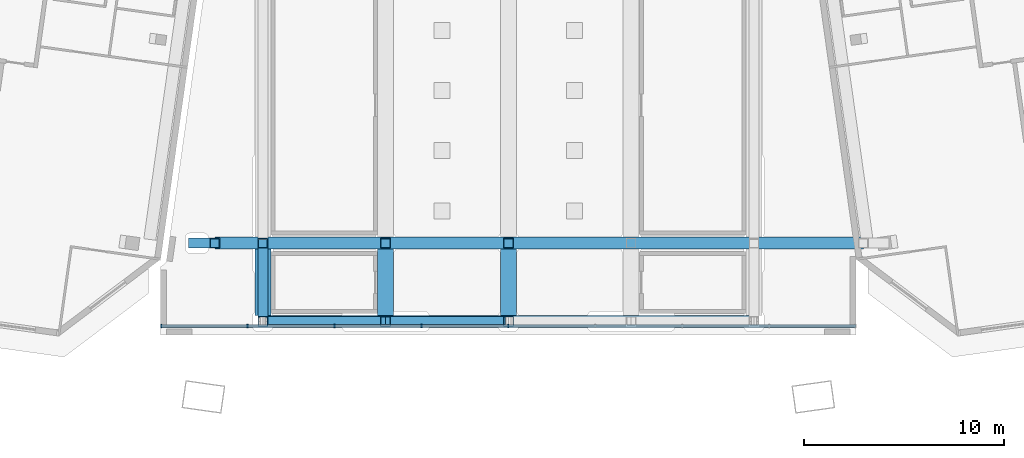
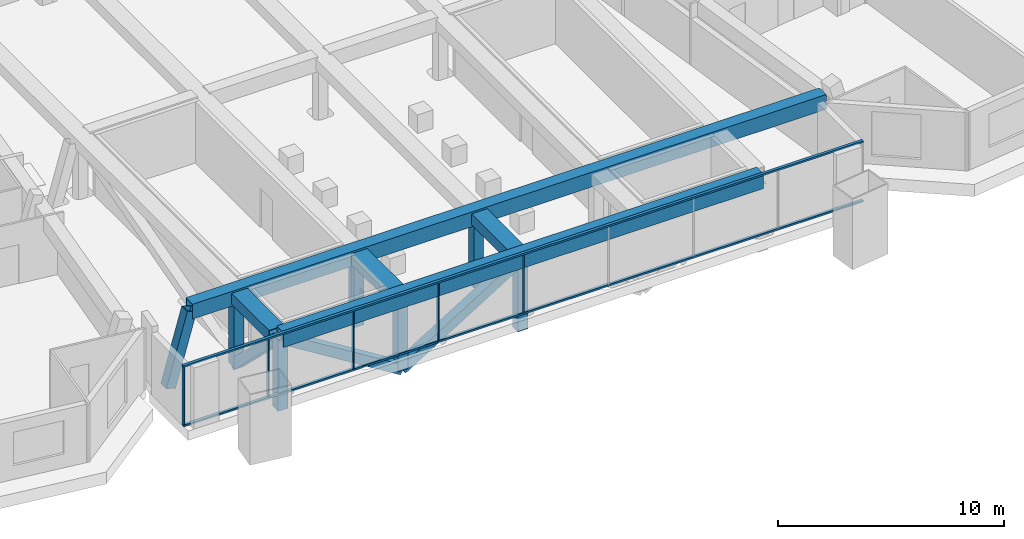
# One storey, part 3 of 28: 22 members, 1 element without a shape of its own.
"""IFC4 building model written with IfcOpenShell, lengths in metres."""

from ifc_helpers import new_model, si_unit, direction, frame, origin, origin_2d, place, context, subcontext, project, spatial, rectangle, hollow_rectangle, extrude, material, material_profile, profile_set, type_object, element, aggregate, save


model = new_model("IFC4")

# Units and contexts
model_context = context("Model", 3, precision=1e-05, world=origin(), true_north=direction((0.0, 1.0)))
body_context = subcontext(model_context, "Body", "Model", "MODEL_VIEW")
ifc_project = project(units=[si_unit("LENGTHUNIT", "METRE"), si_unit("AREAUNIT", "SQUARE_METRE"), si_unit("VOLUMEUNIT", "CUBIC_METRE"), si_unit("PLANEANGLEUNIT", "RADIAN"), si_unit("MASSUNIT", "GRAM", prefix="KILO")], contexts=[model_context])

# Site, building, storey
site_placement = place(None, origin())
site = spatial("IfcSite", under=ifc_project, at=site_placement, CompositionType="ELEMENT")
building_placement = place(site_placement, origin())
building = spatial("IfcBuilding", under=site, at=building_placement, Name="Mirante Cascada Hotel Towers", CompositionType="ELEMENT")
storey_placement = place(building_placement, frame((0.0, 0.0, 262.2)))
storey = spatial("IfcBuildingStorey", under=building, at=storey_placement, Name="L63", CompositionType="ELEMENT", Elevation=262.2)

# Members
ifc_material_1 = material(Name="Steel ASTM A572 Gr 50", Category="steel")
ifc_material_profile_1 = material_profile(ifc_material_1, hollow_rectangle(XDim=0.6, YDim=0.8, WallThickness=0.04, at=origin_2d()), Name="Box chord 800x600x40 ASTM A572 Gr 50")
ifc_profile_set_1 = profile_set([ifc_material_profile_1], Name="Steel ASTM A572 Gr 50")
member_type_1 = type_object("IfcMemberType", Name="Box chord 800x600x40 ASTM A572 Gr 50", PredefinedType="CHORD", material=ifc_profile_set_1)
for number, where, z_axis, x_axis, name in (
    (1, (-12.2514, -21.2153, 2.9), (0.0, 1.0, 0.0), (0.0, 0.0, 1.0), "dchord sky park L64 1"),
    (2, (-6.1257, -21.2153, 2.9), (0.0, 1.0, 0.0), (0.0, 0.0, 1.0), "dchord sky park L64 5"),
    (3, (0.0, -21.2153, 2.9), (0.0, 1.0, 0.0), (0.0, 0.0, 1.0), "dchord sky park L64 9"),
):
    element("IfcMember", number, at=place(storey_placement, frame(where, z_axis=z_axis, x_axis=x_axis)), inside=storey, type_object=member_type_1, Name=name, PredefinedType="CHORD", context=body_context, shape_type="SweptSolid", body=[
        extrude(hollow_rectangle(XDim=0.6, YDim=0.8, WallThickness=0.04, at=origin_2d()), origin(), (0.0, 0.0, 1.0), 3.3),
    ])
member_1_placement = place(storey_placement, frame((-14.6385, -17.6153, 2.9), z_axis=(1.0, 0.0, 0.0), x_axis=(0.0, 1.0, 0.0)))
element("IfcMember", 4, at=member_1_placement, inside=storey, type_object=member_type_1, Name="dchord sky park L64 21", PredefinedType="CHORD", context=body_context, shape_type="SweptSolid", body=[
    extrude(hollow_rectangle(XDim=0.6, YDim=0.8, WallThickness=0.04, at=origin_2d()), origin(), (0.0, 0.0, 1.0), 32.3497),
])
member_2_placement = place(storey_placement, frame((-12.2514, -21.5153, 2.9), z_axis=(1.0, 0.0, 0.0), x_axis=(0.0, 1.0, 0.0)))
element("IfcMember", 5, at=member_2_placement, inside=storey, type_object=member_type_1, Name="dchord sky park L64 28", PredefinedType="CHORD", context=body_context, shape_type="SweptSolid", body=[
    extrude(hollow_rectangle(XDim=0.6, YDim=0.8, WallThickness=0.04, at=origin_2d()), origin(), (0.0, 0.0, 1.0), 24.5028),
])
ifc_material_2 = material(Name="Steel ASTM A572 Gr 50", Category="steel")
ifc_material_profile_2 = material_profile(ifc_material_2, hollow_rectangle(XDim=0.5, YDim=0.5, WallThickness=0.03, at=origin_2d()), Name="Box diagonal 500x500x30 ASTM A572 Gr 50")
ifc_profile_set_2 = profile_set([ifc_material_profile_2], Name="Steel ASTM A572 Gr 50")
member_type_2 = type_object("IfcMemberType", Name="Box diagonal 500x500x30 ASTM A572 Gr 50", PredefinedType="BRACE", material=ifc_profile_set_2)
member_3_placement = place(storey_placement, frame((-12.2514, -17.6153, -0.9), z_axis=(0.0, -0.7162296, 0.6978647), x_axis=(1.0, 0.0, 0.0)))
element("IfcMember", 6, at=member_3_placement, inside=storey, type_object=member_type_2, Name="ddiag sky park L63 1", PredefinedType="BRACE", context=body_context, shape_type="SweptSolid", body=[
    extrude(hollow_rectangle(XDim=0.5, YDim=0.5, WallThickness=0.03, at=origin_2d()), origin(), (0.0, 0.0, 1.0), 5.4452),
])
for number, where, z_axis, x_axis, name in (
    (7, (-6.1257, -21.5153, -0.9), (-0.8497743, 0.0, 0.5271467), (0.0, -1.0, 0.0), "ddiag sky park L63 15"),
    (8, (-6.1257, -21.5153, -0.9), (0.8497743, 0.0, 0.5271467), (0.0, 1.0, 0.0), "ddiag sky park L63 16"),
):
    element("IfcMember", number, at=place(storey_placement, frame(where, z_axis=z_axis, x_axis=x_axis)), inside=storey, type_object=member_type_2, Name=name, PredefinedType="BRACE", context=body_context, shape_type="SweptSolid", body=[
        extrude(hollow_rectangle(XDim=0.5, YDim=0.5, WallThickness=0.03, at=origin_2d()), origin(), (0.0, 0.0, 1.0), 7.2086),
    ])
ifc_material_3 = material(Name="Steel ASTM A572 Gr 50", Category="steel")
ifc_material_profile_3 = material_profile(ifc_material_3, hollow_rectangle(XDim=0.5, YDim=0.5, WallThickness=0.03, at=origin_2d()), Name="Box post 500x500x30 ASTM A572 Gr 50")
ifc_profile_set_3 = profile_set([ifc_material_profile_3], Name="Steel ASTM A572 Gr 50")
member_type_3 = type_object("IfcMemberType", Name="Box post 500x500x30 ASTM A572 Gr 50", PredefinedType="POST", material=ifc_profile_set_3)
for number, where, z_axis, x_axis, name in (
    (9, (-12.2514, -21.5153, -0.9), (0.0, 0.0, 1.0), (1.0, 0.0, 0.0), "dpost sky park L63 1"),
    (10, (-12.2514, -17.6153, -0.9), (0.0, 0.0, 1.0), (1.0, 0.0, 0.0), "dpost sky park L63 2"),
    (11, (-6.1257, -21.5153, -0.9), (0.0, 0.0, 1.0), (1.0, 0.0, 0.0), "dpost sky park L63 8"),
    (12, (-6.1257, -17.6153, -0.9), (0.0, 0.0, 1.0), (1.0, 0.0, 0.0), "dpost sky park L63 9"),
    (13, (0.0, -21.5153, -0.9), (0.0, 0.0, 1.0), (1.0, 0.0, 0.0), "dpost sky park L63 15"),
    (14, (0.0, -17.6153, -0.9), (0.0, 0.0, 1.0), (1.0, 0.0, 0.0), "dpost sky park L63 16"),
):
    element("IfcMember", number, at=place(storey_placement, frame(where, z_axis=z_axis, x_axis=x_axis)), inside=storey, type_object=member_type_3, Name=name, PredefinedType="POST", context=body_context, shape_type="SweptSolid", body=[
        extrude(hollow_rectangle(XDim=0.5, YDim=0.5, WallThickness=0.03, at=origin_2d()), origin(), (0.0, 0.0, 1.0), 3.8),
    ])
member_4_placement = place(storey_placement, frame((-15.7223, -17.6153, -0.9), z_axis=(0.2742732, 0.0, 0.9616518), x_axis=(0.0, 1.0, 0.0)))
element("IfcMember", 15, at=member_4_placement, inside=storey, type_object=member_type_3, Name="dpost sky park L63 36", PredefinedType="POST", context=body_context, shape_type="SweptSolid", body=[
    extrude(hollow_rectangle(XDim=0.5, YDim=0.5, WallThickness=0.03, at=origin_2d()), origin(), (0.0, 0.0, 1.0), 3.9515),
])

# Curtain wall, members
ifc_material_4 = material(Name="Aluminium mullion and transom frame with clear laminated glass", Category="aluminium")
curtain_wall_type = type_object("IfcCurtainWallType", Name="Sky park deck curtain wall ECW5", PredefinedType="NOTDEFINED", material=ifc_material_4)
curtain_wall_placement = place(storey_placement, origin())
curtain_wall = element("IfcCurtainWall", 16, at=curtain_wall_placement, inside=storey, type_object=curtain_wall_type, Name="Sky park glazing L63 run 1", PredefinedType="NOTDEFINED")
ifc_material_5 = material(Name="Anodised aluminium extrusion", Category="aluminium")
ifc_material_profile_4 = material_profile(ifc_material_5, rectangle(XDim=0.18, YDim=0.06, at=origin_2d()), Name="ECW5 MULLION 60x180")
ifc_profile_set_4 = profile_set([ifc_material_profile_4], Name="Anodised aluminium extrusion")
member_type_4 = type_object("IfcMemberType", Name="ECW5 mullion 60x180", PredefinedType="MULLION", material=ifc_profile_set_4)
member_5_placement = place(storey_placement, frame((-17.3202, -21.7525, 0.09), z_axis=(0.0, 0.0, 1.0), x_axis=(0.0, 1.0, 0.0)))
member_5 = element("IfcMember", 17, at=member_5_placement, type_object=member_type_4, Name="ECW5 mullion 1", PredefinedType="MULLION", context=body_context, shape_type="SweptSolid", body=[
    extrude(rectangle(XDim=0.18, YDim=0.06, at=origin_2d()), origin(), (0.0, 0.0, 1.0), 3.12),
])
member_6_placement = place(storey_placement, frame((-13.0126, -21.7525, 0.09), z_axis=(0.0, 0.0, 1.0), x_axis=(0.0, 1.0, 0.0)))
member_6 = element("IfcMember", 18, at=member_6_placement, type_object=member_type_4, Name="ECW5 mullion 2", PredefinedType="MULLION", context=body_context, shape_type="SweptSolid", body=[
    extrude(rectangle(XDim=0.18, YDim=0.06, at=origin_2d()), origin(), (0.0, 0.0, 1.0), 3.12),
])
member_7_placement = place(storey_placement, frame((-8.6751, -21.7525, 0.09), z_axis=(0.0, 0.0, 1.0), x_axis=(0.0, 1.0, 0.0)))
member_7 = element("IfcMember", 19, at=member_7_placement, type_object=member_type_4, Name="ECW5 mullion 3", PredefinedType="MULLION", context=body_context, shape_type="SweptSolid", body=[
    extrude(rectangle(XDim=0.18, YDim=0.06, at=origin_2d()), origin(), (0.0, 0.0, 1.0), 3.12),
])
member_8_placement = place(storey_placement, frame((-4.3375, -21.7525, 0.09), z_axis=(0.0, 0.0, 1.0), x_axis=(0.0, 1.0, 0.0)))
member_8 = element("IfcMember", 20, at=member_8_placement, type_object=member_type_4, Name="ECW5 mullion 4", PredefinedType="MULLION", context=body_context, shape_type="SweptSolid", body=[
    extrude(rectangle(XDim=0.18, YDim=0.06, at=origin_2d()), origin(), (0.0, 0.0, 1.0), 3.12),
])
member_9_placement = place(storey_placement, frame((0.0, -21.7525, 0.09), z_axis=(0.0, 0.0, 1.0), x_axis=(0.0, 1.0, 0.0)))
member_9 = element("IfcMember", 21, at=member_9_placement, type_object=member_type_4, Name="ECW5 mullion 5", PredefinedType="MULLION", context=body_context, shape_type="SweptSolid", body=[
    extrude(rectangle(XDim=0.18, YDim=0.06, at=origin_2d()), origin(), (0.0, 0.0, 1.0), 3.12),
])
ifc_material_6 = material(Name="Anodised aluminium extrusion", Category="aluminium")
ifc_material_profile_5 = material_profile(ifc_material_6, rectangle(XDim=0.15, YDim=0.09, at=origin_2d()), Name="ECW5 TRANSOM 90x150")
ifc_profile_set_5 = profile_set([ifc_material_profile_5], Name="Anodised aluminium extrusion")
member_type_5 = type_object("IfcMemberType", Name="ECW5 transom 90x150", PredefinedType="USERDEFINED", material=ifc_profile_set_5)
member_10_placement = place(storey_placement, frame((-17.3502, -21.7525, 0.045), z_axis=(1.0, 0.0, 0.0), x_axis=(0.0, 1.0, 0.0)))
member_10 = element("IfcMember", 22, at=member_10_placement, type_object=member_type_5, Name="ECW5 sill transom", ObjectType="TRANSOM", PredefinedType="USERDEFINED", context=body_context, shape_type="SweptSolid", body=[
    extrude(rectangle(XDim=0.15, YDim=0.09, at=origin_2d()), origin(), (0.0, 0.0, 1.0), 34.7004),
])
member_11_placement = place(storey_placement, frame((-17.3502, -21.7525, 3.255), z_axis=(1.0, 0.0, 0.0), x_axis=(0.0, 1.0, 0.0)))
member_11 = element("IfcMember", 23, at=member_11_placement, type_object=member_type_5, Name="ECW5 head transom", ObjectType="TRANSOM", PredefinedType="USERDEFINED", context=body_context, shape_type="SweptSolid", body=[
    extrude(rectangle(XDim=0.15, YDim=0.09, at=origin_2d()), origin(), (0.0, 0.0, 1.0), 34.7004),
])
aggregate(curtain_wall, [member_10, member_11, member_5, member_6, member_7, member_8, member_9])

save(model, "model.ifc")
